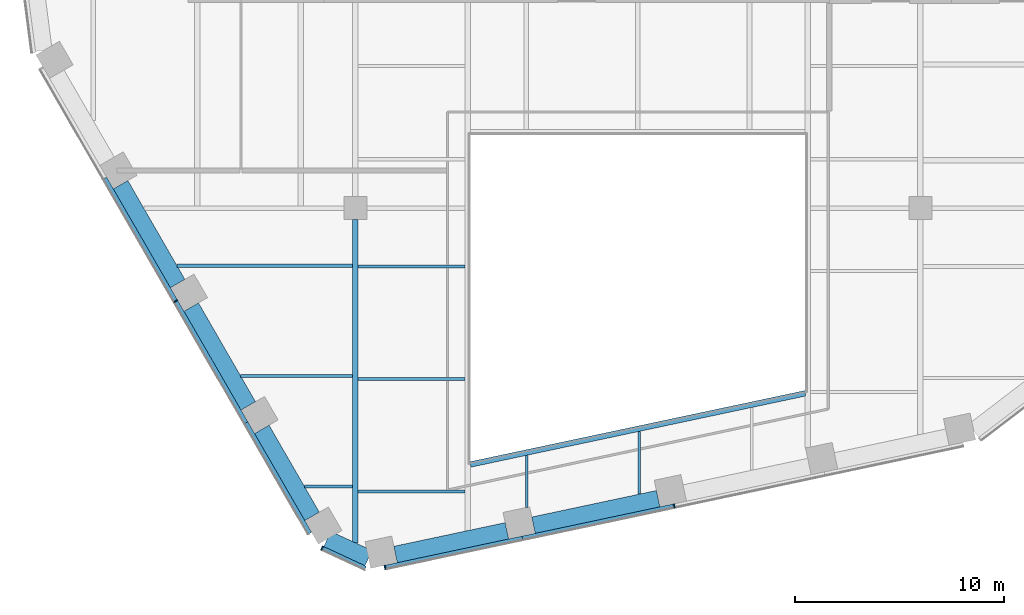
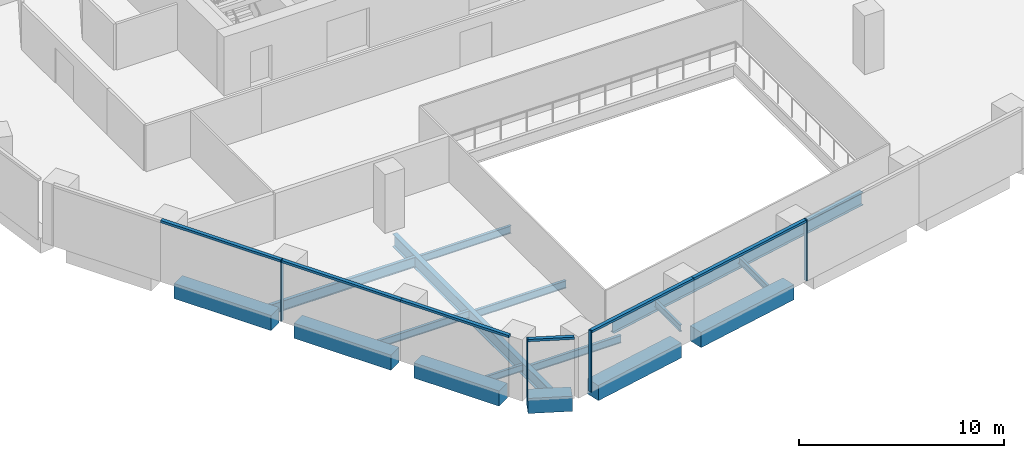
# One storey, part 2 of 16: 16 beams, 10 members, 3 elements without a shape of their own.
"""IFC4 building model written with IfcOpenShell, lengths in metres."""

from ifc_helpers import new_model, si_unit, direction, frame, origin, origin_2d, place, context, subcontext, project, spatial, rectangle, i_section, extrude, material, layer, layer_set, material_profile, profile_set, type_object, element, aggregate, save


model = new_model("IFC4")

# Units and contexts
model_context = context("Model", 3, precision=1e-05, world=origin(), true_north=direction((0.0, 1.0)))
body_context = subcontext(model_context, "Body", "Model", "MODEL_VIEW")
ifc_project = project(units=[si_unit("LENGTHUNIT", "METRE"), si_unit("AREAUNIT", "SQUARE_METRE"), si_unit("VOLUMEUNIT", "CUBIC_METRE"), si_unit("PLANEANGLEUNIT", "RADIAN"), si_unit("MASSUNIT", "GRAM", prefix="KILO")], contexts=[model_context])

# Site, building, storey
site_placement = place(None, origin())
site = spatial("IfcSite", under=ifc_project, at=site_placement, CompositionType="ELEMENT")
building_placement = place(site_placement, origin())
building = spatial("IfcBuilding", under=site, at=building_placement, Name="Isthmus Gate Tower", CompositionType="ELEMENT")
storey_placement = place(building_placement, frame((0.0, 0.0, 178.10009765625)))
storey = spatial("IfcBuildingStorey", under=building, at=storey_placement, Name="L44", CompositionType="ELEMENT", Elevation=178.10009765625)

# Curtain wall, member
ifc_material_1 = material(Name="Aluminium, pale champagne anodised", Category="aluminium")
ifc_layer = layer(ifc_material_1, 0.199951171875)
ifc_layer_set = layer_set([ifc_layer], Name="CW-1 UNITISED CURTAIN WALL 200 DEEP")
curtain_wall_type = type_object("IfcCurtainWallType", Name="CW-1 UNITISED CURTAIN WALL 200 DEEP", PredefinedType="NOTDEFINED", material=ifc_layer_set)
curtain_wall_1_placement = place(storey_placement, origin())
curtain_wall_1 = element("IfcCurtainWall", 1, at=curtain_wall_1_placement, inside=storey, type_object=curtain_wall_type, Name="CW-1 SW L44", PredefinedType="NOTDEFINED")
ifc_material_2 = material(Name="Aluminium, pale champagne anodised", Category="aluminium")
ifc_material_profile_1 = material_profile(ifc_material_2, rectangle(XDim=0.06005859375, YDim=0.199951171875, at=origin_2d()), Name="60x200")
ifc_profile_set_1 = profile_set([ifc_material_profile_1], Name="Aluminium, pale champagne anodised")
member_type_1 = type_object("IfcMemberType", Name="CW-1 MULLION 60 X 200", PredefinedType="MULLION", material=ifc_profile_set_1)
member_1_placement = place(storey_placement, frame((-22.08935546875, -17.93994140625, 0.0), z_axis=(0.0, 0.0, 1.0), x_axis=(0.5, -0.866025403784, 0.0)))
member_1 = element("IfcMember", 2, at=member_1_placement, type_object=member_type_1, Name="CW-1 mullion", PredefinedType="MULLION", context=body_context, shape_type="SweptSolid", body=[
    extrude(rectangle(XDim=0.06005859375, YDim=0.199951171875, at=origin_2d()), origin(), (0.0, 0.0, 1.0), 3.64990234375),
])

curtain_wall_2_placement = place(storey_placement, origin())
curtain_wall_2 = element("IfcCurtainWall", 3, at=curtain_wall_2_placement, inside=storey, type_object=curtain_wall_type, Name="CW-1 SW-S L44", PredefinedType="NOTDEFINED")
member_2_placement = place(storey_placement, frame((-15.091064453125, -29.74755859375, 0.0), z_axis=(0.0, 0.0, 1.0), x_axis=(0.907256261367, -0.420578264073, 0.0)))
member_2 = element("IfcMember", 4, at=member_2_placement, type_object=member_type_1, Name="CW-1 mullion", PredefinedType="MULLION", context=body_context, shape_type="SweptSolid", body=[
    extrude(rectangle(XDim=0.06005859375, YDim=0.199951171875, at=origin_2d()), origin(), (0.0, 0.0, 1.0), 3.64990234375),
])

# Curtain wall, members
curtain_wall_3_placement = place(storey_placement, origin())
curtain_wall_3 = element("IfcCurtainWall", 5, at=curtain_wall_3_placement, inside=storey, type_object=curtain_wall_type, Name="CW-1 S L44", PredefinedType="NOTDEFINED")
member_3_placement = place(storey_placement, frame((-12.082763671875, -30.67041015625, 0.0), z_axis=(0.0, 0.0, 1.0), x_axis=(0.978147600734, 0.207911690818, 0.0)))
member_3 = element("IfcMember", 6, at=member_3_placement, type_object=member_type_1, Name="CW-1 mullion", PredefinedType="MULLION", context=body_context, shape_type="SweptSolid", body=[
    extrude(rectangle(XDim=0.06005859375, YDim=0.199951171875, at=origin_2d()), origin(), (0.0, 0.0, 1.0), 3.64990234375),
])
member_4_placement = place(storey_placement, frame((1.740234375, -27.732421875, 0.0), z_axis=(0.0, 0.0, 1.0), x_axis=(0.978147600734, 0.207911690818, 0.0)))
member_4 = element("IfcMember", 7, at=member_4_placement, type_object=member_type_1, Name="CW-1 mullion", PredefinedType="MULLION", context=body_context, shape_type="SweptSolid", body=[
    extrude(rectangle(XDim=0.06005859375, YDim=0.199951171875, at=origin_2d()), origin(), (0.0, 0.0, 1.0), 3.64990234375),
])

# Member
ifc_material_3 = material(Name="Aluminium, pale champagne anodised", Category="aluminium")
ifc_material_profile_2 = material_profile(ifc_material_3, rectangle(XDim=0.199951171875, YDim=0.139892578125, at=origin_2d()), Name="200x140")
ifc_profile_set_2 = profile_set([ifc_material_profile_2], Name="Aluminium, pale champagne anodised")
member_type_2 = type_object("IfcMemberType", Name="CW-1 TRANSOM 200 X 140", PredefinedType="USERDEFINED", material=ifc_profile_set_2)
member_5_placement = place(storey_placement, frame((-25.4794921875, -12.068115234375, 3.579833984375), z_axis=(0.49998230858, -0.86603561769, 0.0), x_axis=(0.86603561769, 0.49998230858, 0.0)))
member_5 = element("IfcMember", 8, at=member_5_placement, type_object=member_type_2, Name="CW-1 transom", ObjectType="TRANSOM", PredefinedType="USERDEFINED", context=body_context, shape_type="SweptSolid", body=[
    extrude(rectangle(XDim=0.199951171875, YDim=0.139892578125, at=origin_2d()), origin(), (0.0, 0.0, 1.0), 6.750244140625),
])

member_6_placement = place(storey_placement, frame((-22.074462890625, -17.9658203125, 3.579833984375), z_axis=(0.499981482168, -0.866036094796, 0.0), x_axis=(0.866036094796, 0.499981482168, 0.0)))
member_6 = element("IfcMember", 9, at=member_6_placement, type_object=member_type_2, Name="CW-1 transom", ObjectType="TRANSOM", PredefinedType="USERDEFINED", context=body_context, shape_type="SweptSolid", body=[
    extrude(rectangle(XDim=0.199951171875, YDim=0.139892578125, at=origin_2d()), origin(), (0.0, 0.0, 1.0), 6.690185546875),
])

member_7_placement = place(storey_placement, frame((-18.7294921875, -23.759765625, 3.579833984375), z_axis=(0.499991521122, -0.866030299012, 0.0), x_axis=(0.866030299012, 0.499991521122, 0.0)))
member_7 = element("IfcMember", 10, at=member_7_placement, type_object=member_type_2, Name="CW-1 transom", ObjectType="TRANSOM", PredefinedType="USERDEFINED", context=body_context, shape_type="SweptSolid", body=[
    extrude(rectangle(XDim=0.199951171875, YDim=0.139892578125, at=origin_2d()), origin(), (0.0, 0.0, 1.0), 6.10009765625),
])

aggregate(curtain_wall_1, [member_5, member_1, member_6, member_7])

member_8_placement = place(storey_placement, frame((-15.06396484375, -29.76025390625, 3.579833984375), z_axis=(0.907246225564, -0.420599912268, 0.0), x_axis=(0.420599912268, 0.907246225564, 0.0)))
member_8 = element("IfcMember", 11, at=member_8_placement, type_object=member_type_2, Name="CW-1 transom", ObjectType="TRANSOM", PredefinedType="USERDEFINED", context=body_context, shape_type="SweptSolid", body=[
    extrude(rectangle(XDim=0.199951171875, YDim=0.139892578125, at=origin_2d()), origin(), (0.0, 0.0, 1.0), 2.258544921875),
])

aggregate(curtain_wall_2, [member_2, member_8])

member_9_placement = place(storey_placement, frame((-12.05322265625, -30.664306640625, 3.579833984375), z_axis=(0.97814231579, 0.207936552972, 0.0), x_axis=(-0.207936552972, 0.97814231579, 0.0)))
member_9 = element("IfcMember", 12, at=member_9_placement, type_object=member_type_2, Name="CW-1 transom", ObjectType="TRANSOM", PredefinedType="USERDEFINED", context=body_context, shape_type="SweptSolid", body=[
    extrude(rectangle(XDim=0.199951171875, YDim=0.139892578125, at=origin_2d()), origin(), (0.0, 0.0, 1.0), 6.6806640625),
])

member_10_placement = place(storey_placement, frame((-5.5185546875, -29.275146484375, 3.579833984375), z_axis=(0.978147683684, 0.207911300568, 0.0), x_axis=(-0.207911300568, 0.978147683684, 0.0)))
member_10 = element("IfcMember", 13, at=member_10_placement, type_object=member_type_2, Name="CW-1 transom", ObjectType="TRANSOM", PredefinedType="USERDEFINED", context=body_context, shape_type="SweptSolid", body=[
    extrude(rectangle(XDim=0.199951171875, YDim=0.139892578125, at=origin_2d()), origin(), (0.0, 0.0, 1.0), 7.390869140625),
])

aggregate(curtain_wall_3, [member_3, member_9, member_10, member_4])

# Beams
ifc_material_4 = material(Name="Concrete f'c 60 MPa", Category="concrete")
ifc_material_profile_3 = material_profile(ifc_material_4, rectangle(XDim=0.800048828125, YDim=0.89990234375, at=origin_2d()), Name="RC 800X900")
ifc_profile_set_3 = profile_set([ifc_material_profile_3], Name="Concrete f'c 60 MPa")
beam_type_1 = type_object("IfcBeamType", Name="RC SPANDREL 800 X 900", PredefinedType="SPANDREL", material=ifc_profile_set_3)
beam_1_placement = place(storey_placement, frame((0.970947265625, -27.384765625, -0.4501953125), z_axis=(-0.978146012851, -0.207919161079, 0.0), x_axis=(0.207919161079, -0.978146012851, 0.0)))
element("IfcBeam", 14, at=beam_1_placement, inside=storey, type_object=beam_type_1, Name="str-spandrel-L44-13", PredefinedType="SPANDREL", context=body_context, shape_type="SweptSolid", body=[
    extrude(rectangle(XDim=0.800048828125, YDim=0.89990234375, at=origin_2d()), origin(), (0.0, 0.0, 1.0), 6.090576171875),
])
beam_2_placement = place(storey_placement, frame((-6.25830078125, -28.92138671875, -0.4501953125), z_axis=(-0.978150410773, -0.207898470186, 0.0), x_axis=(0.207898470186, -0.978150410773, 0.0)))
element("IfcBeam", 15, at=beam_2_placement, inside=storey, type_object=beam_type_1, Name="str-spandrel-L44-14", PredefinedType="SPANDREL", context=body_context, shape_type="SweptSolid", body=[
    extrude(rectangle(XDim=0.800048828125, YDim=0.89990234375, at=origin_2d()), origin(), (0.0, 0.0, 1.0), 5.440673828125),
])
beam_3_placement = place(storey_placement, frame((-12.87255859375, -30.224853515625, -0.4501953125), z_axis=(-0.907290744498, 0.420503870314, 0.0), x_axis=(-0.420503870314, -0.907290744498, 0.0)))
element("IfcBeam", 16, at=beam_3_placement, inside=storey, type_object=beam_type_1, Name="str-spandrel-L44-15", PredefinedType="SPANDREL", context=body_context, shape_type="SweptSolid", body=[
    extrude(rectangle(XDim=0.800048828125, YDim=0.89990234375, at=origin_2d()), origin(), (0.0, 0.0, 1.0), 2.173095703125),
])
beam_4_placement = place(storey_placement, frame((-15.5712890625, -28.229736328125, -0.4501953125), z_axis=(-0.500017431331, 0.866015339567, 0.0), x_axis=(-0.866015339567, -0.500017431331, 0.0)))
element("IfcBeam", 17, at=beam_4_placement, inside=storey, type_object=beam_type_1, Name="str-spandrel-L44-16", PredefinedType="SPANDREL", context=body_context, shape_type="SweptSolid", body=[
    extrude(rectangle(XDim=0.800048828125, YDim=0.89990234375, at=origin_2d()), origin(), (0.0, 0.0, 1.0), 4.800048828125),
])
for number, where, z_axis, x_axis, name in (
    (18, (-18.621337890625, -22.94677734375, -0.4501953125), (-0.500002931134, 0.866023711487, 0.0), (-0.866023711487, -0.500002931134, 0.0), "str-spandrel-L44-17"),
    (19, (-21.996337890625, -17.10107421875, -0.4501953125), (-0.500002931134, 0.866023711487, 0.0), (-0.866023711487, -0.500002931134, 0.0), "str-spandrel-L44-18"),
):
    element("IfcBeam", number, at=place(storey_placement, frame(where, z_axis=z_axis, x_axis=x_axis)), inside=storey, type_object=beam_type_1, Name=name, PredefinedType="SPANDREL", context=body_context, shape_type="SweptSolid", body=[
        extrude(rectangle(XDim=0.800048828125, YDim=0.89990234375, at=origin_2d()), origin(), (0.0, 0.0, 1.0), 5.4501953125),
    ])
ifc_material_5 = material(Name="Structural steel ASTM A992 Gr 50", Category="steel")
ifc_material_profile_4 = material_profile(ifc_material_5, i_section(OverallWidth=0.1396484375, OverallDepth=0.4033203125, WebThickness=0.00634765625, FlangeThickness=0.010986328125, at=origin_2d()), Name="W16X31")
ifc_profile_set_4 = profile_set([ifc_material_profile_4], Name="Structural steel ASTM A992 Gr 50")
beam_type_2 = type_object("IfcBeamType", Name="STEEL FLOOR BEAM W16X31", PredefinedType="JOIST", material=ifc_profile_set_4)
beam_5_placement = place(storey_placement, frame((-15.937744140625, -26.795166015625, -0.351806640625), z_axis=(1.0, 0.0, 0.0), x_axis=(0.0, 1.0, 0.0)))
element("IfcBeam", 20, at=beam_5_placement, inside=storey, type_object=beam_type_2, Name="str-beam-L44-02-00", PredefinedType="JOIST", context=body_context, shape_type="SweptSolid", body=[
    extrude(i_section(OverallWidth=0.1396484375, OverallDepth=0.4033203125, WebThickness=0.00634765625, FlangeThickness=0.010986328125, at=origin_2d()), origin(), (0.0, 0.0, 1.0), 2.304443359375),
])
beam_6_placement = place(storey_placement, frame((-5.311279296875, -27.7998046875, -0.351806640625), z_axis=(0.0, 1.0, 0.0), x_axis=(-1.0, 0.0, 0.0)))
element("IfcBeam", 21, at=beam_6_placement, inside=storey, type_object=beam_type_2, Name="str-beam-L44-07-00", PredefinedType="JOIST", context=body_context, shape_type="SweptSolid", body=[
    extrude(i_section(OverallWidth=0.1396484375, OverallDepth=0.4033203125, WebThickness=0.00634765625, FlangeThickness=0.010986328125, at=origin_2d()), origin(), (0.0, 0.0, 1.0), 2.487548828125),
])
beam_7_placement = place(storey_placement, frame((0.06591796875, -27.168212890625, -0.351806640625), z_axis=(0.0, 1.0, 0.0), x_axis=(-1.0, 0.0, 0.0)))
element("IfcBeam", 22, at=beam_7_placement, inside=storey, type_object=beam_type_2, Name="str-beam-L44-07-01", PredefinedType="JOIST", context=body_context, shape_type="SweptSolid", body=[
    extrude(i_section(OverallWidth=0.1396484375, OverallDepth=0.4033203125, WebThickness=0.00634765625, FlangeThickness=0.010986328125, at=origin_2d()), origin(), (0.0, 0.0, 1.0), 2.9990234375),
])
ifc_material_6 = material(Name="Structural steel ASTM A992 Gr 50", Category="steel")
ifc_material_profile_5 = material_profile(ifc_material_6, i_section(OverallWidth=0.15234375, OverallDepth=0.45068359375, WebThickness=0.0078125, FlangeThickness=0.010986328125, at=origin_2d()), Name="W18X35")
ifc_profile_set_5 = profile_set([ifc_material_profile_5], Name="Structural steel ASTM A992 Gr 50")
beam_type_3 = type_object("IfcBeamType", Name="STEEL FLOOR BEAM W18X35", PredefinedType="JOIST", material=ifc_profile_set_5)
beam_8_placement = place(storey_placement, frame((-18.981689453125, -21.52294921875, -0.37548828125), z_axis=(1.0, 0.0, 0.0), x_axis=(0.0, 1.0, 0.0)))
element("IfcBeam", 23, at=beam_8_placement, inside=storey, type_object=beam_type_3, Name="str-beam-L44-02-01", PredefinedType="JOIST", context=body_context, shape_type="SweptSolid", body=[
    extrude(i_section(OverallWidth=0.15234375, OverallDepth=0.45068359375, WebThickness=0.0078125, FlangeThickness=0.010986328125, at=origin_2d()), origin(), (0.0, 0.0, 1.0), 5.348388671875),
])
for number, where, z_axis, x_axis, name in (
    (24, (-13.36669921875, -27.04736328125, -0.37548828125), (1.0, 0.0, 0.0), (0.0, 1.0, 0.0), "str-beam-L44-03-00"),
    (25, (-13.36669921875, -21.67041015625, -0.37548828125), (1.0, 0.0, 0.0), (0.0, 1.0, 0.0), "str-beam-L44-03-01"),
    (26, (-13.36669921875, -16.293212890625, -0.37548828125), (1.0, 0.0, 0.0), (0.0, 1.0, 0.0), "str-beam-L44-03-02"),
):
    element("IfcBeam", number, at=place(storey_placement, frame(where, z_axis=z_axis, x_axis=x_axis)), inside=storey, type_object=beam_type_3, Name=name, PredefinedType="JOIST", context=body_context, shape_type="SweptSolid", body=[
        extrude(i_section(OverallWidth=0.15234375, OverallDepth=0.45068359375, WebThickness=0.0078125, FlangeThickness=0.010986328125, at=origin_2d()), origin(), (0.0, 0.0, 1.0), 5.10009765625),
    ])
ifc_material_7 = material(Name="Structural steel ASTM A992 Gr 50", Category="steel")
ifc_material_profile_6 = material_profile(ifc_material_7, i_section(OverallWidth=0.177734375, OverallDepth=0.60009765625, WebThickness=0.009521484375, FlangeThickness=0.0126953125, at=origin_2d()), Name="W24X55")
ifc_profile_set_6 = profile_set([ifc_material_profile_6], Name="Structural steel ASTM A992 Gr 50")
beam_type_4 = type_object("IfcBeamType", Name="STEEL FLOOR BEAM W24X55", PredefinedType="JOIST", material=ifc_profile_set_6)
beam_9_placement = place(storey_placement, frame((-22.025634765625, -16.25048828125, -0.4501953125), z_axis=(1.0, 0.0, 0.0), x_axis=(0.0, 1.0, 0.0)))
element("IfcBeam", 27, at=beam_9_placement, inside=storey, type_object=beam_type_4, Name="str-beam-L44-02-02", PredefinedType="JOIST", context=body_context, shape_type="SweptSolid", body=[
    extrude(i_section(OverallWidth=0.177734375, OverallDepth=0.60009765625, WebThickness=0.009521484375, FlangeThickness=0.0126953125, at=origin_2d()), origin(), (0.0, 0.0, 1.0), 8.392333984375),
])
ifc_material_8 = material(Name="Structural steel ASTM A992 Gr 50", Category="steel")
ifc_material_profile_7 = material_profile(ifc_material_8, i_section(OverallWidth=0.2666015625, OverallDepth=0.7587890625, WebThickness=0.014404296875, FlangeThickness=0.01904296875, at=origin_2d()), Name="W30X108")
ifc_profile_set_7 = profile_set([ifc_material_profile_7], Name="Structural steel ASTM A992 Gr 50")
beam_type_5 = type_object("IfcBeamType", Name="STEEL GIRDER W30X108", PredefinedType="BEAM", material=ifc_profile_set_7)
beam_10_placement = place(storey_placement, frame((-13.5, -29.4931640625, -0.529541015625), z_axis=(0.0, 1.0, 0.0), x_axis=(-1.0, 0.0, 0.0)))
element("IfcBeam", 28, at=beam_10_placement, inside=storey, type_object=beam_type_5, Name="str-girder-L44-07", PredefinedType="BEAM", context=body_context, shape_type="SweptSolid", body=[
    extrude(i_section(OverallWidth=0.2666015625, OverallDepth=0.7587890625, WebThickness=0.014404296875, FlangeThickness=0.01904296875, at=origin_2d()), origin(), (0.0, 0.0, 1.0), 15.443115234375),
])
ifc_material_9 = material(Name="Structural steel ASTM A992 Gr 50", Category="steel")
ifc_material_profile_8 = material_profile(ifc_material_9, i_section(OverallWidth=0.2666015625, OverallDepth=0.7587890625, WebThickness=0.014404296875, FlangeThickness=0.01904296875, at=origin_2d()), Name="W30X108")
ifc_profile_set_8 = profile_set([ifc_material_profile_8], Name="Structural steel ASTM A992 Gr 50")
beam_type_6 = type_object("IfcBeamType", Name="STEEL TRIMMER W30X108", PredefinedType="BEAM", material=ifc_profile_set_8)
beam_11_placement = place(storey_placement, frame((-8.0, -25.747314453125, -0.529541015625), z_axis=(0.978147924985, 0.20791016533, 0.0), x_axis=(-0.20791016533, 0.978147924985, 0.0)))
element("IfcBeam", 29, at=beam_11_placement, inside=storey, type_object=beam_type_6, Name="str-trimmer-L44-03", PredefinedType="BEAM", context=body_context, shape_type="SweptSolid", body=[
    extrude(i_section(OverallWidth=0.2666015625, OverallDepth=0.7587890625, WebThickness=0.014404296875, FlangeThickness=0.01904296875, at=origin_2d()), origin(), (0.0, 0.0, 1.0), 16.357421875),
])

save(model, "model.ifc")
